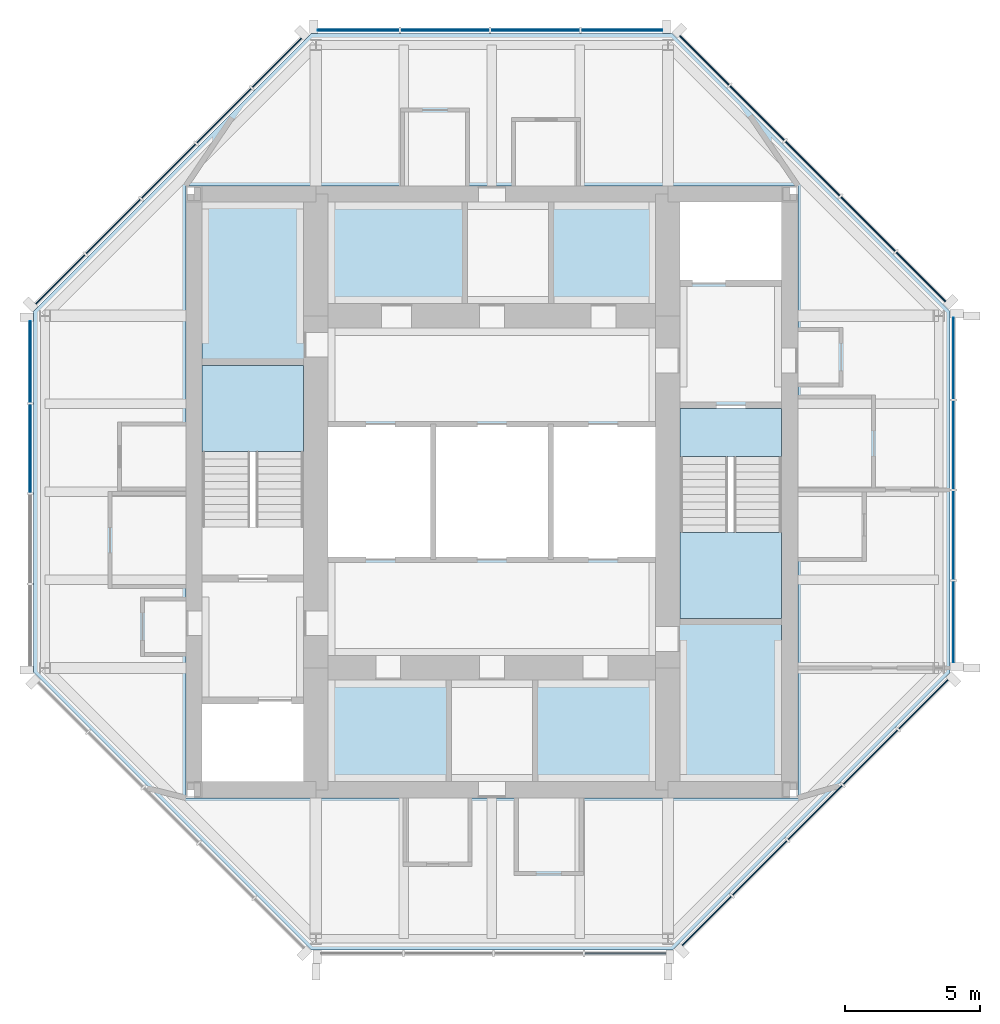
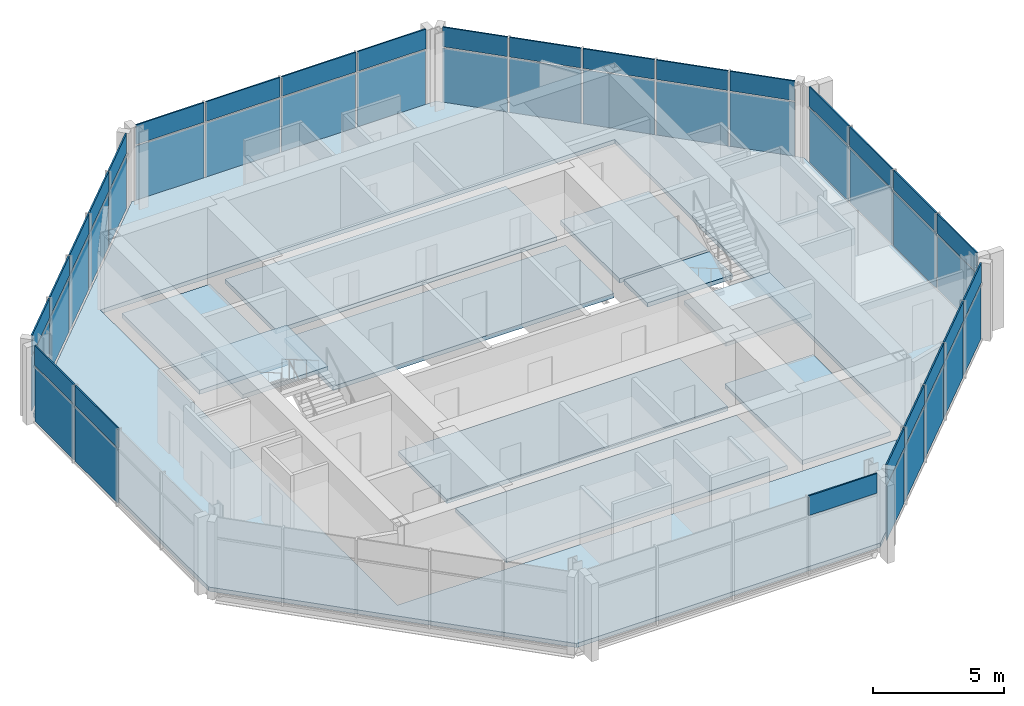
# One storey, part 4 of 8: 51 plates, 11 slabs, 9 elements without a shape of their own.
"""IFC4 building model written with IfcOpenShell, lengths in metres."""

from ifc_helpers import new_model, si_unit, direction, frame, origin, origin_2d, place, context, subcontext, project, spatial, polyline, rectangle, outline, extrude, material, layer, layer_set, type_object, element, aggregate, save


model = new_model("IFC4")

# Units and contexts
model_context = context("Model", 3, precision=1e-05, world=origin(), true_north=direction((0.0, 1.0)))
body_context = subcontext(model_context, "Body", "Model", "MODEL_VIEW")
ifc_project = project(units=[si_unit("LENGTHUNIT", "METRE"), si_unit("AREAUNIT", "SQUARE_METRE"), si_unit("VOLUMEUNIT", "CUBIC_METRE"), si_unit("PLANEANGLEUNIT", "RADIAN"), si_unit("MASSUNIT", "GRAM", prefix="KILO")], contexts=[model_context])

# Site, building, storey
site_placement = place(None, origin())
site = spatial("IfcSite", under=ifc_project, at=site_placement, CompositionType="ELEMENT")
building_placement = place(site_placement, origin())
building = spatial("IfcBuilding", under=site, at=building_placement, Name="Trevanion Tower", CompositionType="ELEMENT")
storey_placement = place(building_placement, frame((0.0, 0.0, 270.39990234375)))
storey = spatial("IfcBuildingStorey", under=building, at=storey_placement, Name="L66", CompositionType="ELEMENT", Elevation=270.39990234375)

# Curtain wall, plates
ifc_material_1 = material(Name="Aluminium and glass", Category="aluminium")
curtain_wall_type = type_object("IfcCurtainWallType", Name="CW4 curtain wall", PredefinedType="USERDEFINED", material=ifc_material_1)
curtain_wall_1_placement = place(storey_placement, origin())
curtain_wall_1 = element("IfcCurtainWall", 1, at=curtain_wall_1_placement, inside=storey, type_object=curtain_wall_type, Name="CW4 L66 0", ObjectType="UNITISED CURTAIN WALL", PredefinedType="USERDEFINED")
ifc_material_2 = material(Name="Aluminium spandrel panel", Category="aluminium")
ifc_layer_1 = layer(ifc_material_2, 0.06005859375)
ifc_layer_set_1 = layer_set([ifc_layer_1], Name="CW4 spandrel panel")
plate_type_1 = type_object("IfcPlateType", Name="CW4 spandrel panel", PredefinedType="CURTAIN_PANEL", material=ifc_layer_set_1)
plate_1_placement = place(storey_placement, frame((17.050048828125, -4.80078125, 2.49755859375), z_axis=(0.0, 0.0, 1.0), x_axis=(0.0, 1.0, 0.0)))
plate_1 = element("IfcPlate", 2, at=plate_1_placement, type_object=plate_type_1, Name="CW4 panel 1.2", PredefinedType="CURTAIN_PANEL", context=body_context, shape_type="SweptSolid", body=[
    extrude(rectangle(XDim=2.993896484375, YDim=0.06005859375, at=origin_2d()), origin(), (0.0, 0.0, 1.0), 0.91259765625),
])
plate_2_placement = place(storey_placement, frame((17.050048828125, -1.6005859375, 2.49755859375), z_axis=(0.0, 0.0, 1.0), x_axis=(0.0, 1.0, 0.0)))
plate_2 = element("IfcPlate", 3, at=plate_2_placement, type_object=plate_type_1, Name="CW4 panel 2.2", PredefinedType="CURTAIN_PANEL", context=body_context, shape_type="SweptSolid", body=[
    extrude(rectangle(XDim=3.25634765625, YDim=0.06005859375, at=origin_2d()), origin(), (0.0, 0.0, 1.0), 0.91259765625),
])
plate_3_placement = place(storey_placement, frame((17.050048828125, 1.730712890625, 2.49755859375), z_axis=(0.0, 0.0, 1.0), x_axis=(0.0, 1.0, 0.0)))
plate_3 = element("IfcPlate", 4, at=plate_3_placement, type_object=plate_type_1, Name="CW4 panel 3.2", PredefinedType="CURTAIN_PANEL", context=body_context, shape_type="SweptSolid", body=[
    extrude(rectangle(XDim=3.25634765625, YDim=0.06005859375, at=origin_2d()), origin(), (0.0, 0.0, 1.0), 0.91259765625),
])
plate_4_placement = place(storey_placement, frame((17.050048828125, 4.930908203125, 2.49755859375), z_axis=(0.0, 0.0, 1.0), x_axis=(0.0, 1.0, 0.0)))
plate_4 = element("IfcPlate", 5, at=plate_4_placement, type_object=plate_type_1, Name="CW4 panel 4.2", PredefinedType="CURTAIN_PANEL", context=body_context, shape_type="SweptSolid", body=[
    extrude(rectangle(XDim=2.993896484375, YDim=0.06005859375, at=origin_2d()), origin(), (0.0, 0.0, 1.0), 0.91259765625),
])

curtain_wall_2_placement = place(storey_placement, origin())
curtain_wall_2 = element("IfcCurtainWall", 6, at=curtain_wall_2_placement, inside=storey, type_object=curtain_wall_type, Name="CW4 L66 1", ObjectType="UNITISED CURTAIN WALL", PredefinedType="USERDEFINED")
plate_5_placement = place(storey_placement, frame((15.84228515625, 7.935546875, 2.49755859375), z_axis=(0.0, 0.0, 1.0), x_axis=(-0.707106781187, 0.707106781187, 0.0)))
plate_5 = element("IfcPlate", 7, at=plate_5_placement, type_object=plate_type_1, Name="CW4 panel 1.2", PredefinedType="CURTAIN_PANEL", context=body_context, shape_type="SweptSolid", body=[
    extrude(rectangle(XDim=2.55615234375, YDim=0.06005859375, at=origin_2d()), origin(), (0.0, 0.0, 1.0), 0.91259765625),
])
plate_6_placement = place(storey_placement, frame((13.888916015625, 9.888916015625, 2.49755859375), z_axis=(0.0, 0.0, 1.0), x_axis=(-0.707106781187, 0.707106781187, 0.0)))
plate_6 = element("IfcPlate", 8, at=plate_6_placement, type_object=plate_type_1, Name="CW4 panel 2.2", PredefinedType="CURTAIN_PANEL", context=body_context, shape_type="SweptSolid", body=[
    extrude(rectangle(XDim=2.818603515625, YDim=0.06005859375, at=origin_2d()), origin(), (0.0, 0.0, 1.0), 0.91259765625),
])
plate_7_placement = place(storey_placement, frame((11.843017578125, 11.934814453125, 2.49755859375), z_axis=(0.0, 0.0, 1.0), x_axis=(-0.707106781187, 0.707106781187, 0.0)))
plate_7 = element("IfcPlate", 9, at=plate_7_placement, type_object=plate_type_1, Name="CW4 panel 3.2", PredefinedType="CURTAIN_PANEL", context=body_context, shape_type="SweptSolid", body=[
    extrude(rectangle(XDim=2.818603515625, YDim=0.06005859375, at=origin_2d()), origin(), (0.0, 0.0, 1.0), 0.91259765625),
])
plate_8_placement = place(storey_placement, frame((9.796875, 13.98095703125, 2.49755859375), z_axis=(0.0, 0.0, 1.0), x_axis=(-0.707106781187, 0.707106781187, 0.0)))
plate_8 = element("IfcPlate", 10, at=plate_8_placement, type_object=plate_type_1, Name="CW4 panel 4.2", PredefinedType="CURTAIN_PANEL", context=body_context, shape_type="SweptSolid", body=[
    extrude(rectangle(XDim=2.818603515625, YDim=0.06005859375, at=origin_2d()), origin(), (0.0, 0.0, 1.0), 0.91259765625),
])
plate_9_placement = place(storey_placement, frame((7.84375, 15.93408203125, 2.49755859375), z_axis=(0.0, 0.0, 1.0), x_axis=(-0.707106781187, 0.707106781187, 0.0)))
plate_9 = element("IfcPlate", 11, at=plate_9_placement, type_object=plate_type_1, Name="CW4 panel 5.2", PredefinedType="CURTAIN_PANEL", context=body_context, shape_type="SweptSolid", body=[
    extrude(rectangle(XDim=2.55615234375, YDim=0.06005859375, at=origin_2d()), origin(), (0.0, 0.0, 1.0), 0.91259765625),
])

curtain_wall_3_placement = place(storey_placement, origin())
curtain_wall_3 = element("IfcCurtainWall", 12, at=curtain_wall_3_placement, inside=storey, type_object=curtain_wall_type, Name="CW4 L66 2", ObjectType="UNITISED CURTAIN WALL", PredefinedType="USERDEFINED")
plate_10_placement = place(storey_placement, frame((4.80078125, 17.050048828125, 2.49755859375), z_axis=(0.0, 0.0, 1.0), x_axis=(-1.0, 0.0, 0.0)))
plate_10 = element("IfcPlate", 13, at=plate_10_placement, type_object=plate_type_1, Name="CW4 panel 1.2", PredefinedType="CURTAIN_PANEL", context=body_context, shape_type="SweptSolid", body=[
    extrude(rectangle(XDim=2.993896484375, YDim=0.06005859375, at=origin_2d()), origin(), (0.0, 0.0, 1.0), 0.91259765625),
])
plate_11_placement = place(storey_placement, frame((1.6005859375, 17.050048828125, 2.49755859375), z_axis=(0.0, 0.0, 1.0), x_axis=(-1.0, 0.0, 0.0)))
plate_11 = element("IfcPlate", 14, at=plate_11_placement, type_object=plate_type_1, Name="CW4 panel 2.2", PredefinedType="CURTAIN_PANEL", context=body_context, shape_type="SweptSolid", body=[
    extrude(rectangle(XDim=3.25634765625, YDim=0.06005859375, at=origin_2d()), origin(), (0.0, 0.0, 1.0), 0.91259765625),
])
plate_12_placement = place(storey_placement, frame((-1.730712890625, 17.050048828125, 2.49755859375), z_axis=(0.0, 0.0, 1.0), x_axis=(-1.0, 0.0, 0.0)))
plate_12 = element("IfcPlate", 15, at=plate_12_placement, type_object=plate_type_1, Name="CW4 panel 3.2", PredefinedType="CURTAIN_PANEL", context=body_context, shape_type="SweptSolid", body=[
    extrude(rectangle(XDim=3.25634765625, YDim=0.06005859375, at=origin_2d()), origin(), (0.0, 0.0, 1.0), 0.91259765625),
])
plate_13_placement = place(storey_placement, frame((-4.930908203125, 17.050048828125, 2.49755859375), z_axis=(0.0, 0.0, 1.0), x_axis=(-1.0, 0.0, 0.0)))
plate_13 = element("IfcPlate", 16, at=plate_13_placement, type_object=plate_type_1, Name="CW4 panel 4.2", PredefinedType="CURTAIN_PANEL", context=body_context, shape_type="SweptSolid", body=[
    extrude(rectangle(XDim=2.993896484375, YDim=0.06005859375, at=origin_2d()), origin(), (0.0, 0.0, 1.0), 0.91259765625),
])

curtain_wall_4_placement = place(storey_placement, origin())
curtain_wall_4 = element("IfcCurtainWall", 17, at=curtain_wall_4_placement, inside=storey, type_object=curtain_wall_type, Name="CW4 L66 3", ObjectType="UNITISED CURTAIN WALL", PredefinedType="USERDEFINED")
plate_14_placement = place(storey_placement, frame((-7.935546875, 15.84228515625, 2.49755859375), z_axis=(0.0, 0.0, 1.0), x_axis=(-0.707106781187, -0.707106781187, 0.0)))
plate_14 = element("IfcPlate", 18, at=plate_14_placement, type_object=plate_type_1, Name="CW4 panel 1.2", PredefinedType="CURTAIN_PANEL", context=body_context, shape_type="SweptSolid", body=[
    extrude(rectangle(XDim=2.55615234375, YDim=0.06005859375, at=origin_2d()), origin(), (0.0, 0.0, 1.0), 0.91259765625),
])
plate_15_placement = place(storey_placement, frame((-9.888916015625, 13.888916015625, 2.49755859375), z_axis=(0.0, 0.0, 1.0), x_axis=(-0.707106781187, -0.707106781187, 0.0)))
plate_15 = element("IfcPlate", 19, at=plate_15_placement, type_object=plate_type_1, Name="CW4 panel 2.2", PredefinedType="CURTAIN_PANEL", context=body_context, shape_type="SweptSolid", body=[
    extrude(rectangle(XDim=2.818603515625, YDim=0.06005859375, at=origin_2d()), origin(), (0.0, 0.0, 1.0), 0.91259765625),
])
plate_16_placement = place(storey_placement, frame((-11.934814453125, 11.843017578125, 2.49755859375), z_axis=(0.0, 0.0, 1.0), x_axis=(-0.707106781187, -0.707106781187, 0.0)))
plate_16 = element("IfcPlate", 20, at=plate_16_placement, type_object=plate_type_1, Name="CW4 panel 3.2", PredefinedType="CURTAIN_PANEL", context=body_context, shape_type="SweptSolid", body=[
    extrude(rectangle(XDim=2.818603515625, YDim=0.06005859375, at=origin_2d()), origin(), (0.0, 0.0, 1.0), 0.91259765625),
])
plate_17_placement = place(storey_placement, frame((-13.98095703125, 9.796875, 2.49755859375), z_axis=(0.0, 0.0, 1.0), x_axis=(-0.707106781187, -0.707106781187, 0.0)))
plate_17 = element("IfcPlate", 21, at=plate_17_placement, type_object=plate_type_1, Name="CW4 panel 4.2", PredefinedType="CURTAIN_PANEL", context=body_context, shape_type="SweptSolid", body=[
    extrude(rectangle(XDim=2.818603515625, YDim=0.06005859375, at=origin_2d()), origin(), (0.0, 0.0, 1.0), 0.91259765625),
])
plate_18_placement = place(storey_placement, frame((-15.93408203125, 7.84375, 2.49755859375), z_axis=(0.0, 0.0, 1.0), x_axis=(-0.707106781187, -0.707106781187, 0.0)))
plate_18 = element("IfcPlate", 22, at=plate_18_placement, type_object=plate_type_1, Name="CW4 panel 5.2", PredefinedType="CURTAIN_PANEL", context=body_context, shape_type="SweptSolid", body=[
    extrude(rectangle(XDim=2.55615234375, YDim=0.06005859375, at=origin_2d()), origin(), (0.0, 0.0, 1.0), 0.91259765625),
])

curtain_wall_5_placement = place(storey_placement, origin())
curtain_wall_5 = element("IfcCurtainWall", 23, at=curtain_wall_5_placement, inside=storey, type_object=curtain_wall_type, Name="CW4 L66 4", ObjectType="UNITISED CURTAIN WALL", PredefinedType="USERDEFINED")
plate_19_placement = place(storey_placement, frame((-17.050048828125, 4.80078125, 2.49755859375), z_axis=(0.0, 0.0, 1.0), x_axis=(0.0, -1.0, 0.0)))
plate_19 = element("IfcPlate", 24, at=plate_19_placement, type_object=plate_type_1, Name="CW4 panel 1.2", PredefinedType="CURTAIN_PANEL", context=body_context, shape_type="SweptSolid", body=[
    extrude(rectangle(XDim=2.993896484375, YDim=0.06005859375, at=origin_2d()), origin(), (0.0, 0.0, 1.0), 0.91259765625),
])
plate_20_placement = place(storey_placement, frame((-17.050048828125, 1.6005859375, 2.49755859375), z_axis=(0.0, 0.0, 1.0), x_axis=(0.0, -1.0, 0.0)))
plate_20 = element("IfcPlate", 25, at=plate_20_placement, type_object=plate_type_1, Name="CW4 panel 2.2", PredefinedType="CURTAIN_PANEL", context=body_context, shape_type="SweptSolid", body=[
    extrude(rectangle(XDim=3.25634765625, YDim=0.06005859375, at=origin_2d()), origin(), (0.0, 0.0, 1.0), 0.91259765625),
])

# Curtain wall, plate
curtain_wall_6_placement = place(storey_placement, origin())
curtain_wall_6 = element("IfcCurtainWall", 26, at=curtain_wall_6_placement, inside=storey, type_object=curtain_wall_type, Name="CW4 L66 6", ObjectType="UNITISED CURTAIN WALL", PredefinedType="USERDEFINED")
plate_21_placement = place(storey_placement, frame((4.930908203125, -17.050048828125, 2.49755859375), z_axis=(0.0, 0.0, 1.0), x_axis=(1.0, 0.0, 0.0)))
plate_21 = element("IfcPlate", 27, at=plate_21_placement, type_object=plate_type_1, Name="CW4 panel 4.2", PredefinedType="CURTAIN_PANEL", context=body_context, shape_type="SweptSolid", body=[
    extrude(rectangle(XDim=2.993896484375, YDim=0.06005859375, at=origin_2d()), origin(), (0.0, 0.0, 1.0), 0.91259765625),
])
aggregate(curtain_wall_6, [plate_21])

# Curtain wall, plates
curtain_wall_7_placement = place(storey_placement, origin())
curtain_wall_7 = element("IfcCurtainWall", 28, at=curtain_wall_7_placement, inside=storey, type_object=curtain_wall_type, Name="CW4 L66 7", ObjectType="UNITISED CURTAIN WALL", PredefinedType="USERDEFINED")
plate_22_placement = place(storey_placement, frame((7.935546875, -15.84228515625, 2.49755859375), z_axis=(0.0, 0.0, 1.0), x_axis=(0.707106781187, 0.707106781187, 0.0)))
plate_22 = element("IfcPlate", 29, at=plate_22_placement, type_object=plate_type_1, Name="CW4 panel 1.2", PredefinedType="CURTAIN_PANEL", context=body_context, shape_type="SweptSolid", body=[
    extrude(rectangle(XDim=2.55615234375, YDim=0.06005859375, at=origin_2d()), origin(), (0.0, 0.0, 1.0), 0.91259765625),
])
plate_23_placement = place(storey_placement, frame((9.888916015625, -13.888916015625, 2.49755859375), z_axis=(0.0, 0.0, 1.0), x_axis=(0.707106781187, 0.707106781187, 0.0)))
plate_23 = element("IfcPlate", 30, at=plate_23_placement, type_object=plate_type_1, Name="CW4 panel 2.2", PredefinedType="CURTAIN_PANEL", context=body_context, shape_type="SweptSolid", body=[
    extrude(rectangle(XDim=2.818603515625, YDim=0.06005859375, at=origin_2d()), origin(), (0.0, 0.0, 1.0), 0.91259765625),
])
plate_24_placement = place(storey_placement, frame((11.934814453125, -11.843017578125, 2.49755859375), z_axis=(0.0, 0.0, 1.0), x_axis=(0.707106781187, 0.707106781187, 0.0)))
plate_24 = element("IfcPlate", 31, at=plate_24_placement, type_object=plate_type_1, Name="CW4 panel 3.2", PredefinedType="CURTAIN_PANEL", context=body_context, shape_type="SweptSolid", body=[
    extrude(rectangle(XDim=2.818603515625, YDim=0.06005859375, at=origin_2d()), origin(), (0.0, 0.0, 1.0), 0.91259765625),
])
plate_25_placement = place(storey_placement, frame((13.98095703125, -9.796875, 2.49755859375), z_axis=(0.0, 0.0, 1.0), x_axis=(0.707106781187, 0.707106781187, 0.0)))
plate_25 = element("IfcPlate", 32, at=plate_25_placement, type_object=plate_type_1, Name="CW4 panel 4.2", PredefinedType="CURTAIN_PANEL", context=body_context, shape_type="SweptSolid", body=[
    extrude(rectangle(XDim=2.818603515625, YDim=0.06005859375, at=origin_2d()), origin(), (0.0, 0.0, 1.0), 0.91259765625),
])
plate_26_placement = place(storey_placement, frame((15.93408203125, -7.84375, 2.49755859375), z_axis=(0.0, 0.0, 1.0), x_axis=(0.707106781187, 0.707106781187, 0.0)))
plate_26 = element("IfcPlate", 33, at=plate_26_placement, type_object=plate_type_1, Name="CW4 panel 5.2", PredefinedType="CURTAIN_PANEL", context=body_context, shape_type="SweptSolid", body=[
    extrude(rectangle(XDim=2.55615234375, YDim=0.06005859375, at=origin_2d()), origin(), (0.0, 0.0, 1.0), 0.91259765625),
])

# Plate
ifc_material_3 = material(Name="Insulating glass unit", Category="glass")
ifc_layer_2 = layer(ifc_material_3, 0.028076171875)
ifc_layer_set_2 = layer_set([ifc_layer_2], Name="CW4 vision panel")
plate_type_2 = type_object("IfcPlateType", Name="CW4 vision panel", PredefinedType="CURTAIN_PANEL", material=ifc_layer_set_2)
plate_27_placement = place(storey_placement, frame((17.050048828125, -4.80078125, -0.114990234375), z_axis=(0.0, 0.0, 1.0), x_axis=(0.0, 1.0, 0.0)))
plate_27 = element("IfcPlate", 34, at=plate_27_placement, type_object=plate_type_2, Name="CW4 panel 1.1", PredefinedType="CURTAIN_PANEL", context=body_context, shape_type="SweptSolid", body=[
    extrude(rectangle(XDim=2.993896484375, YDim=0.028076171875, at=origin_2d()), origin(), (0.0, 0.0, 1.0), 2.53759765625),
])

plate_28_placement = place(storey_placement, frame((17.050048828125, -1.6005859375, -0.114990234375), z_axis=(0.0, 0.0, 1.0), x_axis=(0.0, 1.0, 0.0)))
plate_28 = element("IfcPlate", 35, at=plate_28_placement, type_object=plate_type_2, Name="CW4 panel 2.1", PredefinedType="CURTAIN_PANEL", context=body_context, shape_type="SweptSolid", body=[
    extrude(rectangle(XDim=3.25634765625, YDim=0.028076171875, at=origin_2d()), origin(), (0.0, 0.0, 1.0), 2.53759765625),
])

plate_29_placement = place(storey_placement, frame((17.050048828125, 1.730712890625, -0.114990234375), z_axis=(0.0, 0.0, 1.0), x_axis=(0.0, 1.0, 0.0)))
plate_29 = element("IfcPlate", 36, at=plate_29_placement, type_object=plate_type_2, Name="CW4 panel 3.1", PredefinedType="CURTAIN_PANEL", context=body_context, shape_type="SweptSolid", body=[
    extrude(rectangle(XDim=3.25634765625, YDim=0.028076171875, at=origin_2d()), origin(), (0.0, 0.0, 1.0), 2.53759765625),
])

plate_30_placement = place(storey_placement, frame((17.050048828125, 4.930908203125, -0.114990234375), z_axis=(0.0, 0.0, 1.0), x_axis=(0.0, 1.0, 0.0)))
plate_30 = element("IfcPlate", 37, at=plate_30_placement, type_object=plate_type_2, Name="CW4 panel 4.1", PredefinedType="CURTAIN_PANEL", context=body_context, shape_type="SweptSolid", body=[
    extrude(rectangle(XDim=2.993896484375, YDim=0.028076171875, at=origin_2d()), origin(), (0.0, 0.0, 1.0), 2.53759765625),
])

aggregate(curtain_wall_1, [plate_27, plate_1, plate_28, plate_2, plate_29, plate_3, plate_30, plate_4])

plate_31_placement = place(storey_placement, frame((15.84228515625, 7.935546875, -0.114990234375), z_axis=(0.0, 0.0, 1.0), x_axis=(-0.707106781187, 0.707106781187, 0.0)))
plate_31 = element("IfcPlate", 38, at=plate_31_placement, type_object=plate_type_2, Name="CW4 panel 1.1", PredefinedType="CURTAIN_PANEL", context=body_context, shape_type="SweptSolid", body=[
    extrude(rectangle(XDim=2.55615234375, YDim=0.028076171875, at=origin_2d()), origin(), (0.0, 0.0, 1.0), 2.53759765625),
])

plate_32_placement = place(storey_placement, frame((13.888916015625, 9.888916015625, -0.114990234375), z_axis=(0.0, 0.0, 1.0), x_axis=(-0.707106781187, 0.707106781187, 0.0)))
plate_32 = element("IfcPlate", 39, at=plate_32_placement, type_object=plate_type_2, Name="CW4 panel 2.1", PredefinedType="CURTAIN_PANEL", context=body_context, shape_type="SweptSolid", body=[
    extrude(rectangle(XDim=2.818603515625, YDim=0.028076171875, at=origin_2d()), origin(), (0.0, 0.0, 1.0), 2.53759765625),
])

plate_33_placement = place(storey_placement, frame((11.843017578125, 11.934814453125, -0.114990234375), z_axis=(0.0, 0.0, 1.0), x_axis=(-0.707106781187, 0.707106781187, 0.0)))
plate_33 = element("IfcPlate", 40, at=plate_33_placement, type_object=plate_type_2, Name="CW4 panel 3.1", PredefinedType="CURTAIN_PANEL", context=body_context, shape_type="SweptSolid", body=[
    extrude(rectangle(XDim=2.818603515625, YDim=0.028076171875, at=origin_2d()), origin(), (0.0, 0.0, 1.0), 2.53759765625),
])

plate_34_placement = place(storey_placement, frame((9.796875, 13.98095703125, -0.114990234375), z_axis=(0.0, 0.0, 1.0), x_axis=(-0.707106781187, 0.707106781187, 0.0)))
plate_34 = element("IfcPlate", 41, at=plate_34_placement, type_object=plate_type_2, Name="CW4 panel 4.1", PredefinedType="CURTAIN_PANEL", context=body_context, shape_type="SweptSolid", body=[
    extrude(rectangle(XDim=2.818603515625, YDim=0.028076171875, at=origin_2d()), origin(), (0.0, 0.0, 1.0), 2.53759765625),
])

plate_35_placement = place(storey_placement, frame((7.84375, 15.93408203125, -0.114990234375), z_axis=(0.0, 0.0, 1.0), x_axis=(-0.707106781187, 0.707106781187, 0.0)))
plate_35 = element("IfcPlate", 42, at=plate_35_placement, type_object=plate_type_2, Name="CW4 panel 5.1", PredefinedType="CURTAIN_PANEL", context=body_context, shape_type="SweptSolid", body=[
    extrude(rectangle(XDim=2.55615234375, YDim=0.028076171875, at=origin_2d()), origin(), (0.0, 0.0, 1.0), 2.53759765625),
])

aggregate(curtain_wall_2, [plate_31, plate_5, plate_32, plate_6, plate_33, plate_7, plate_34, plate_8, plate_35, plate_9])

plate_36_placement = place(storey_placement, frame((4.80078125, 17.050048828125, -0.114990234375), z_axis=(0.0, 0.0, 1.0), x_axis=(-1.0, 0.0, 0.0)))
plate_36 = element("IfcPlate", 43, at=plate_36_placement, type_object=plate_type_2, Name="CW4 panel 1.1", PredefinedType="CURTAIN_PANEL", context=body_context, shape_type="SweptSolid", body=[
    extrude(rectangle(XDim=2.993896484375, YDim=0.028076171875, at=origin_2d()), origin(), (0.0, 0.0, 1.0), 2.53759765625),
])

plate_37_placement = place(storey_placement, frame((1.6005859375, 17.050048828125, -0.114990234375), z_axis=(0.0, 0.0, 1.0), x_axis=(-1.0, 0.0, 0.0)))
plate_37 = element("IfcPlate", 44, at=plate_37_placement, type_object=plate_type_2, Name="CW4 panel 2.1", PredefinedType="CURTAIN_PANEL", context=body_context, shape_type="SweptSolid", body=[
    extrude(rectangle(XDim=3.25634765625, YDim=0.028076171875, at=origin_2d()), origin(), (0.0, 0.0, 1.0), 2.53759765625),
])

plate_38_placement = place(storey_placement, frame((-1.730712890625, 17.050048828125, -0.114990234375), z_axis=(0.0, 0.0, 1.0), x_axis=(-1.0, 0.0, 0.0)))
plate_38 = element("IfcPlate", 45, at=plate_38_placement, type_object=plate_type_2, Name="CW4 panel 3.1", PredefinedType="CURTAIN_PANEL", context=body_context, shape_type="SweptSolid", body=[
    extrude(rectangle(XDim=3.25634765625, YDim=0.028076171875, at=origin_2d()), origin(), (0.0, 0.0, 1.0), 2.53759765625),
])

plate_39_placement = place(storey_placement, frame((-4.930908203125, 17.050048828125, -0.114990234375), z_axis=(0.0, 0.0, 1.0), x_axis=(-1.0, 0.0, 0.0)))
plate_39 = element("IfcPlate", 46, at=plate_39_placement, type_object=plate_type_2, Name="CW4 panel 4.1", PredefinedType="CURTAIN_PANEL", context=body_context, shape_type="SweptSolid", body=[
    extrude(rectangle(XDim=2.993896484375, YDim=0.028076171875, at=origin_2d()), origin(), (0.0, 0.0, 1.0), 2.53759765625),
])

aggregate(curtain_wall_3, [plate_36, plate_10, plate_37, plate_11, plate_38, plate_12, plate_39, plate_13])

plate_40_placement = place(storey_placement, frame((-7.935546875, 15.84228515625, -0.114990234375), z_axis=(0.0, 0.0, 1.0), x_axis=(-0.707106781187, -0.707106781187, 0.0)))
plate_40 = element("IfcPlate", 47, at=plate_40_placement, type_object=plate_type_2, Name="CW4 panel 1.1", PredefinedType="CURTAIN_PANEL", context=body_context, shape_type="SweptSolid", body=[
    extrude(rectangle(XDim=2.55615234375, YDim=0.028076171875, at=origin_2d()), origin(), (0.0, 0.0, 1.0), 2.53759765625),
])

plate_41_placement = place(storey_placement, frame((-9.888916015625, 13.888916015625, -0.114990234375), z_axis=(0.0, 0.0, 1.0), x_axis=(-0.707106781187, -0.707106781187, 0.0)))
plate_41 = element("IfcPlate", 48, at=plate_41_placement, type_object=plate_type_2, Name="CW4 panel 2.1", PredefinedType="CURTAIN_PANEL", context=body_context, shape_type="SweptSolid", body=[
    extrude(rectangle(XDim=2.818603515625, YDim=0.028076171875, at=origin_2d()), origin(), (0.0, 0.0, 1.0), 2.53759765625),
])

plate_42_placement = place(storey_placement, frame((-11.934814453125, 11.843017578125, -0.114990234375), z_axis=(0.0, 0.0, 1.0), x_axis=(-0.707106781187, -0.707106781187, 0.0)))
plate_42 = element("IfcPlate", 49, at=plate_42_placement, type_object=plate_type_2, Name="CW4 panel 3.1", PredefinedType="CURTAIN_PANEL", context=body_context, shape_type="SweptSolid", body=[
    extrude(rectangle(XDim=2.818603515625, YDim=0.028076171875, at=origin_2d()), origin(), (0.0, 0.0, 1.0), 2.53759765625),
])

plate_43_placement = place(storey_placement, frame((-13.98095703125, 9.796875, -0.114990234375), z_axis=(0.0, 0.0, 1.0), x_axis=(-0.707106781187, -0.707106781187, 0.0)))
plate_43 = element("IfcPlate", 50, at=plate_43_placement, type_object=plate_type_2, Name="CW4 panel 4.1", PredefinedType="CURTAIN_PANEL", context=body_context, shape_type="SweptSolid", body=[
    extrude(rectangle(XDim=2.818603515625, YDim=0.028076171875, at=origin_2d()), origin(), (0.0, 0.0, 1.0), 2.53759765625),
])

plate_44_placement = place(storey_placement, frame((-15.93408203125, 7.84375, -0.114990234375), z_axis=(0.0, 0.0, 1.0), x_axis=(-0.707106781187, -0.707106781187, 0.0)))
plate_44 = element("IfcPlate", 51, at=plate_44_placement, type_object=plate_type_2, Name="CW4 panel 5.1", PredefinedType="CURTAIN_PANEL", context=body_context, shape_type="SweptSolid", body=[
    extrude(rectangle(XDim=2.55615234375, YDim=0.028076171875, at=origin_2d()), origin(), (0.0, 0.0, 1.0), 2.53759765625),
])

aggregate(curtain_wall_4, [plate_40, plate_14, plate_41, plate_15, plate_42, plate_16, plate_43, plate_17, plate_44, plate_18])

plate_45_placement = place(storey_placement, frame((-17.050048828125, 4.80078125, -0.114990234375), z_axis=(0.0, 0.0, 1.0), x_axis=(0.0, -1.0, 0.0)))
plate_45 = element("IfcPlate", 52, at=plate_45_placement, type_object=plate_type_2, Name="CW4 panel 1.1", PredefinedType="CURTAIN_PANEL", context=body_context, shape_type="SweptSolid", body=[
    extrude(rectangle(XDim=2.993896484375, YDim=0.028076171875, at=origin_2d()), origin(), (0.0, 0.0, 1.0), 2.53759765625),
])

plate_46_placement = place(storey_placement, frame((-17.050048828125, 1.6005859375, -0.114990234375), z_axis=(0.0, 0.0, 1.0), x_axis=(0.0, -1.0, 0.0)))
plate_46 = element("IfcPlate", 53, at=plate_46_placement, type_object=plate_type_2, Name="CW4 panel 2.1", PredefinedType="CURTAIN_PANEL", context=body_context, shape_type="SweptSolid", body=[
    extrude(rectangle(XDim=3.25634765625, YDim=0.028076171875, at=origin_2d()), origin(), (0.0, 0.0, 1.0), 2.53759765625),
])

aggregate(curtain_wall_5, [plate_45, plate_19, plate_46, plate_20])

plate_47_placement = place(storey_placement, frame((7.935546875, -15.84228515625, -0.114990234375), z_axis=(0.0, 0.0, 1.0), x_axis=(0.707106781187, 0.707106781187, 0.0)))
plate_47 = element("IfcPlate", 54, at=plate_47_placement, type_object=plate_type_2, Name="CW4 panel 1.1", PredefinedType="CURTAIN_PANEL", context=body_context, shape_type="SweptSolid", body=[
    extrude(rectangle(XDim=2.55615234375, YDim=0.028076171875, at=origin_2d()), origin(), (0.0, 0.0, 1.0), 2.53759765625),
])

plate_48_placement = place(storey_placement, frame((9.888916015625, -13.888916015625, -0.114990234375), z_axis=(0.0, 0.0, 1.0), x_axis=(0.707106781187, 0.707106781187, 0.0)))
plate_48 = element("IfcPlate", 55, at=plate_48_placement, type_object=plate_type_2, Name="CW4 panel 2.1", PredefinedType="CURTAIN_PANEL", context=body_context, shape_type="SweptSolid", body=[
    extrude(rectangle(XDim=2.818603515625, YDim=0.028076171875, at=origin_2d()), origin(), (0.0, 0.0, 1.0), 2.53759765625),
])

plate_49_placement = place(storey_placement, frame((11.934814453125, -11.843017578125, -0.114990234375), z_axis=(0.0, 0.0, 1.0), x_axis=(0.707106781187, 0.707106781187, 0.0)))
plate_49 = element("IfcPlate", 56, at=plate_49_placement, type_object=plate_type_2, Name="CW4 panel 3.1", PredefinedType="CURTAIN_PANEL", context=body_context, shape_type="SweptSolid", body=[
    extrude(rectangle(XDim=2.818603515625, YDim=0.028076171875, at=origin_2d()), origin(), (0.0, 0.0, 1.0), 2.53759765625),
])

plate_50_placement = place(storey_placement, frame((13.98095703125, -9.796875, -0.114990234375), z_axis=(0.0, 0.0, 1.0), x_axis=(0.707106781187, 0.707106781187, 0.0)))
plate_50 = element("IfcPlate", 57, at=plate_50_placement, type_object=plate_type_2, Name="CW4 panel 4.1", PredefinedType="CURTAIN_PANEL", context=body_context, shape_type="SweptSolid", body=[
    extrude(rectangle(XDim=2.818603515625, YDim=0.028076171875, at=origin_2d()), origin(), (0.0, 0.0, 1.0), 2.53759765625),
])

plate_51_placement = place(storey_placement, frame((15.93408203125, -7.84375, -0.114990234375), z_axis=(0.0, 0.0, 1.0), x_axis=(0.707106781187, 0.707106781187, 0.0)))
plate_51 = element("IfcPlate", 58, at=plate_51_placement, type_object=plate_type_2, Name="CW4 panel 5.1", PredefinedType="CURTAIN_PANEL", context=body_context, shape_type="SweptSolid", body=[
    extrude(rectangle(XDim=2.55615234375, YDim=0.028076171875, at=origin_2d()), origin(), (0.0, 0.0, 1.0), 2.53759765625),
])

aggregate(curtain_wall_7, [plate_47, plate_22, plate_48, plate_23, plate_49, plate_24, plate_50, plate_25, plate_51, plate_26])

# Slabs
ifc_material_4 = material(Name="Concrete 5,000 psi on composite metal deck", Category="concrete")
ifc_layer_3 = layer(ifc_material_4, 0.18994140625)
ifc_layer_set_3 = layer_set([ifc_layer_3], Name="SL1 composite floor 190")
slab_type_1 = type_object("IfcSlabType", Name="SL1 composite floor 190", PredefinedType="FLOOR", material=ifc_layer_set_3)
slab_1_placement = place(storey_placement, frame((0.0, 0.0, -0.18994140625)))
element("IfcSlab", 59, at=slab_1_placement, inside=storey, type_object=slab_type_1, Name="SL1 L66 floor", PredefinedType="FLOOR", context=body_context, shape_type="SweptSolid", body=[
    extrude(outline(polyline([(16.919921875, -6.674072265625), (16.919921875, 6.674072265625), (6.674072265625, 16.919921875), (-6.674072265625, 16.919921875), (-16.919921875, 6.674072265625), (-16.919921875, -6.674072265625), (-6.674072265625, -16.919921875), (6.674072265625, -16.919921875), (16.919921875, -6.674072265625)]), holes=[polyline([(11.300048828125, -11.300048828125), (11.300048828125, 11.300048828125), (-11.300048828125, 11.300048828125), (-11.300048828125, -11.300048828125), (11.300048828125, -11.300048828125)])]), origin(), (0.0, 0.0, 1.0), 0.18994140625),
])
ifc_material_5 = material(Name="Concrete 5,000 psi", Category="concrete")
ifc_layer_4 = layer(ifc_material_5, 0.199951171875)
ifc_layer_set_4 = layer_set([ifc_layer_4], Name="SL2 core floor 200")
slab_type_2 = type_object("IfcSlabType", Name="SL2 core floor 200", PredefinedType="FLOOR", material=ifc_layer_set_4)
slab_2_placement = place(storey_placement, frame((0.0, 0.0, -0.199951171875)))
element("IfcSlab", 60, at=slab_2_placement, inside=storey, type_object=slab_type_2, Name="SL2 L66 core floor 1", PredefinedType="FLOOR", context=body_context, shape_type="SweptSolid", body=[
    extrude(outline(polyline([(6.169921875, -10.699951171875), (-6.169921875, -10.699951171875), (-6.169921875, -6.830078125), (6.169921875, -6.830078125), (6.169921875, -10.699951171875)])), origin(), (0.0, 0.0, 1.0), 0.199951171875),
])
slab_3_placement = place(storey_placement, frame((0.0, 0.0, -0.199951171875)))
element("IfcSlab", 61, at=slab_3_placement, inside=storey, type_object=slab_type_2, Name="SL2 L66 core floor 2", PredefinedType="FLOOR", context=body_context, shape_type="SweptSolid", body=[
    extrude(outline(polyline([(6.830078125, -4.804931640625), (10.699951171875, -4.804931640625), (10.699951171875, -10.699951171875), (6.830078125, -10.699951171875), (6.830078125, -4.804931640625)])), origin(), (0.0, 0.0, 1.0), 0.199951171875),
])
slab_4_placement = place(storey_placement, frame((0.0, 0.0, -0.199951171875)))
element("IfcSlab", 62, at=slab_4_placement, inside=storey, type_object=slab_type_2, Name="SL2 L66 core floor 4", PredefinedType="FLOOR", context=body_context, shape_type="SweptSolid", body=[
    extrude(outline(polyline([(6.169921875, -6.169921875), (-6.169921875, -6.169921875), (-6.169921875, -2.47998046875), (6.169921875, -2.47998046875), (6.169921875, -6.169921875)])), origin(), (0.0, 0.0, 1.0), 0.199951171875),
])
slab_5_placement = place(storey_placement, frame((0.0, 0.0, -0.199951171875)))
element("IfcSlab", 63, at=slab_5_placement, inside=storey, type_object=slab_type_2, Name="SL2 L66 core floor 5", PredefinedType="FLOOR", context=body_context, shape_type="SweptSolid", body=[
    extrude(outline(polyline([(6.169921875, 2.47998046875), (-6.169921875, 2.47998046875), (-6.169921875, 6.169921875), (6.169921875, 6.169921875), (6.169921875, 2.47998046875)])), origin(), (0.0, 0.0, 1.0), 0.199951171875),
])
slab_6_placement = place(storey_placement, frame((0.0, 0.0, -0.199951171875)))
element("IfcSlab", 64, at=slab_6_placement, inside=storey, type_object=slab_type_2, Name="SL2 L66 core floor 6", PredefinedType="FLOOR", context=body_context, shape_type="SweptSolid", body=[
    extrude(outline(polyline([(6.830078125, 3.205078125), (6.830078125, 7.695068359375), (10.699951171875, 7.695068359375), (10.699951171875, 3.205078125), (6.830078125, 3.205078125)])), origin(), (0.0, 0.0, 1.0), 0.199951171875),
])
slab_7_placement = place(storey_placement, frame((0.0, 0.0, -0.199951171875)))
element("IfcSlab", 65, at=slab_7_placement, inside=storey, type_object=slab_type_2, Name="SL2 L66 core floor 7", PredefinedType="FLOOR", context=body_context, shape_type="SweptSolid", body=[
    extrude(outline(polyline([(-6.830078125, 4.804931640625), (-10.699951171875, 4.804931640625), (-10.699951171875, 10.699951171875), (-6.830078125, 10.699951171875), (-6.830078125, 4.804931640625)])), origin(), (0.0, 0.0, 1.0), 0.199951171875),
])
slab_8_placement = place(storey_placement, frame((0.0, 0.0, -0.199951171875)))
element("IfcSlab", 66, at=slab_8_placement, inside=storey, type_object=slab_type_2, Name="SL2 L66 core floor 8", PredefinedType="FLOOR", context=body_context, shape_type="SweptSolid", body=[
    extrude(outline(polyline([(6.169921875, 6.830078125), (-6.169921875, 6.830078125), (-6.169921875, 10.699951171875), (6.169921875, 10.699951171875), (6.169921875, 6.830078125)])), origin(), (0.0, 0.0, 1.0), 0.199951171875),
])

# Stair, slabs
ifc_material_6 = material(Name="Concrete 5,000 psi on steel stringers", Category="concrete")
stair_type = type_object("IfcStairType", Name="ST stair", PredefinedType="HALF_TURN_STAIR", material=ifc_material_6)
stair_1_placement = place(storey_placement, origin())
stair_1 = element("IfcStair", 67, at=stair_1_placement, inside=storey, type_object=stair_type, Name="ST1 L66", PredefinedType="HALF_TURN_STAIR")
ifc_material_7 = material(Name="Concrete 5,000 psi in steel pan", Category="concrete")
ifc_layer_5 = layer(ifc_material_7, 0.199951171875)
ifc_layer_set_5 = layer_set([ifc_layer_5], Name="STL stair landing 200")
slab_type_3 = type_object("IfcSlabType", Name="STL stair landing 200", PredefinedType="LANDING", material=ifc_layer_set_5)
slab_9_placement = place(storey_placement, frame((0.0, 0.0, -0.199951171875)))
slab_9 = element("IfcSlab", 68, at=slab_9_placement, type_object=slab_type_3, Name="ST1 landing 1", PredefinedType="LANDING", context=body_context, shape_type="SweptSolid", body=[
    extrude(outline(polyline([(6.949951171875, 1.300048828125), (10.699951171875, 1.300048828125), (10.699951171875, 3.074951171875), (6.949951171875, 3.074951171875), (6.949951171875, 1.300048828125)])), origin(), (0.0, 0.0, 1.0), 0.199951171875),
])
slab_10_placement = place(storey_placement, frame((0.0, 0.0, 1.60009765625)))
slab_10 = element("IfcSlab", 69, at=slab_10_placement, type_object=slab_type_3, Name="ST1 landing 2", PredefinedType="LANDING", context=body_context, shape_type="SweptSolid", body=[
    extrude(outline(polyline([(6.949951171875, -4.675048828125), (10.699951171875, -4.675048828125), (10.699951171875, -1.5), (6.949951171875, -1.5), (6.949951171875, -4.675048828125)])), origin(), (0.0, 0.0, 1.0), 0.199951171875),
])
aggregate(stair_1, [slab_9, slab_10])

# Stair, slab
stair_2_placement = place(storey_placement, origin())
stair_2 = element("IfcStair", 70, at=stair_2_placement, inside=storey, type_object=stair_type, Name="ST2 L66", PredefinedType="HALF_TURN_STAIR")
slab_11_placement = place(storey_placement, frame((0.0, 0.0, 1.60009765625)))
slab_11 = element("IfcSlab", 71, at=slab_11_placement, type_object=slab_type_3, Name="ST2 landing 2", PredefinedType="LANDING", context=body_context, shape_type="SweptSolid", body=[
    extrude(outline(polyline([(-6.949951171875, 4.675048828125), (-10.699951171875, 4.675048828125), (-10.699951171875, 1.5), (-6.949951171875, 1.5), (-6.949951171875, 4.675048828125)])), origin(), (0.0, 0.0, 1.0), 0.199951171875),
])
aggregate(stair_2, [slab_11])

save(model, "model.ifc")
